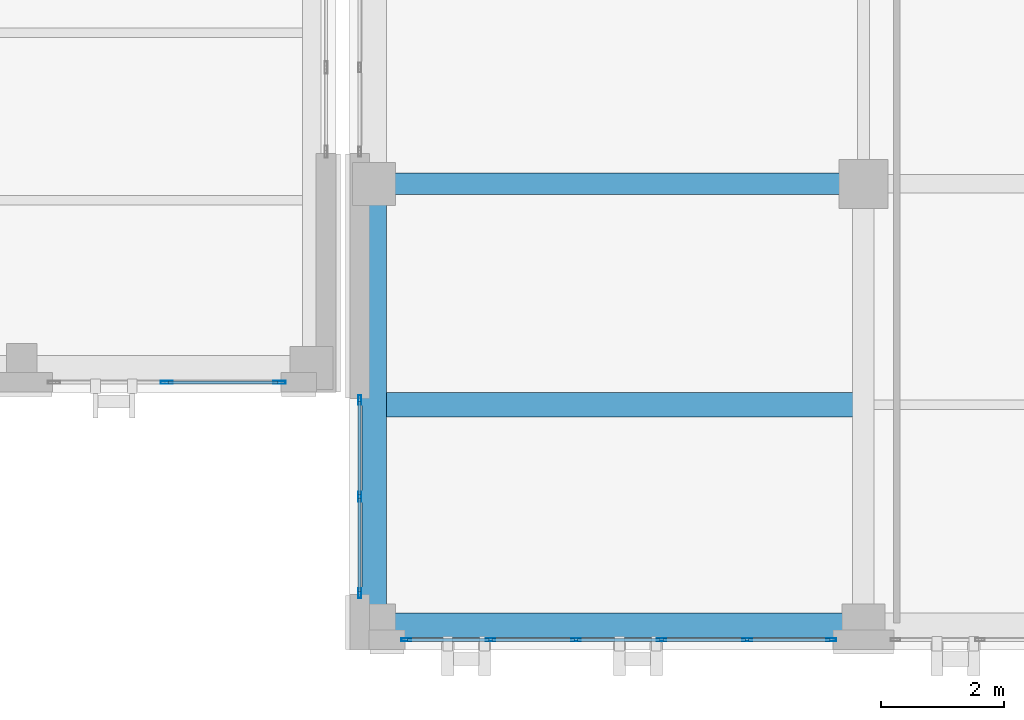
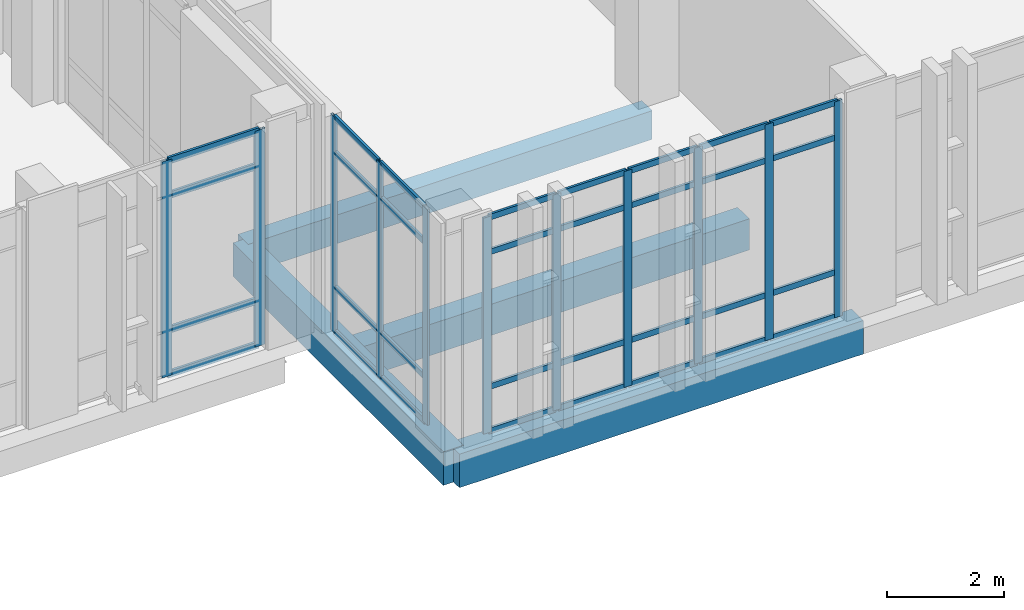
# One storey, part 43 of 189: 43 members, 4 beams, 3 elements without a shape of their own.
"""IFC4 building model written with IfcOpenShell, lengths in metres."""

from ifc_helpers import new_model, si_unit, direction, frame, origin, origin_2d, place, context, subcontext, project, spatial, rectangle, hollow_rectangle, extrude, material, layer, layer_set, material_profile, profile_set, type_object, element, aggregate, save


model = new_model("IFC4")

# Units and contexts
model_context = context("Model", 3, precision=1e-05, world=origin(), true_north=direction((0.0, 1.0)))
body_context = subcontext(model_context, "Body", "Model", "MODEL_VIEW")
ifc_project = project(units=[si_unit("LENGTHUNIT", "METRE"), si_unit("AREAUNIT", "SQUARE_METRE"), si_unit("VOLUMEUNIT", "CUBIC_METRE"), si_unit("PLANEANGLEUNIT", "RADIAN"), si_unit("MASSUNIT", "GRAM", prefix="KILO")], contexts=[model_context])

# Site, building, storey
site_placement = place(None, origin())
site = spatial("IfcSite", under=ifc_project, at=site_placement, CompositionType="ELEMENT")
building_placement = place(site_placement, origin())
building = spatial("IfcBuilding", under=site, at=building_placement, Name="Qalavern Law Courts", CompositionType="ELEMENT")
storey_placement = place(building_placement, frame((0.0, 0.0, 5.39990234375)))
storey = spatial("IfcBuildingStorey", under=building, at=storey_placement, Name="L01", CompositionType="ELEMENT", Elevation=5.39990234375)

# Curtain wall, members
ifc_material_1 = material(Name="Anodised aluminium and insulated glazing", Category="aluminium")
ifc_layer_1 = layer(ifc_material_1, 0.172119140625)
ifc_layer_set_1 = layer_set([ifc_layer_1], Name="Anodised aluminium and insulated glazing")
curtain_wall_type_1 = type_object("IfcCurtainWallType", Name="ENV-CW-COURT", PredefinedType="USERDEFINED", material=ifc_layer_set_1)
curtain_wall_1_placement = place(storey_placement, origin())
curtain_wall_1 = element("IfcCurtainWall", 1, at=curtain_wall_1_placement, inside=storey, type_object=curtain_wall_type_1, Name="V6 unitised curtain wall L01 south 1", ObjectType="UNITISED CURTAIN WALL", PredefinedType="USERDEFINED")
ifc_material_2 = material(Name="Anodised aluminium", Category="aluminium")
ifc_material_profile_1 = material_profile(ifc_material_2, hollow_rectangle(XDim=0.048095703125, YDim=0.159912109375, WallThickness=0.00390625, at=origin_2d()), Name="ALU MULLION 48x160")
ifc_profile_set_1 = profile_set([ifc_material_profile_1], Name="Anodised aluminium")
member_type_1 = type_object("IfcMemberType", Name="ENV-CWM-48x160", PredefinedType="MULLION", material=ifc_profile_set_1)
member_1_placement = place(storey_placement, frame((102.343994140625, 1.16259765625, 0.0), z_axis=(0.0, 0.0, 1.0), x_axis=(0.0, 1.0, 0.0)))
member_1 = element("IfcMember", 2, at=member_1_placement, type_object=member_type_1, Name="CW-03 mullion 1", PredefinedType="MULLION", context=body_context, shape_type="SweptSolid", body=[
    extrude(hollow_rectangle(XDim=0.048095703125, YDim=0.159912109375, WallThickness=0.00390625, at=origin_2d()), origin(), (0.0, 0.0, 1.0), 4.510009765625),
])
member_2_placement = place(storey_placement, frame((103.716064453125, 1.16259765625, 0.0), z_axis=(0.0, 0.0, 1.0), x_axis=(0.0, 1.0, 0.0)))
member_2 = element("IfcMember", 3, at=member_2_placement, type_object=member_type_1, Name="CW-03 mullion 2", PredefinedType="MULLION", context=body_context, shape_type="SweptSolid", body=[
    extrude(hollow_rectangle(XDim=0.048095703125, YDim=0.159912109375, WallThickness=0.00390625, at=origin_2d()), origin(), (0.0, 0.0, 1.0), 4.510009765625),
])
member_3_placement = place(storey_placement, frame((105.112060546875, 1.16259765625, 0.0), z_axis=(0.0, 0.0, 1.0), x_axis=(0.0, 1.0, 0.0)))
member_3 = element("IfcMember", 4, at=member_3_placement, type_object=member_type_1, Name="CW-03 mullion 3", PredefinedType="MULLION", context=body_context, shape_type="SweptSolid", body=[
    extrude(hollow_rectangle(XDim=0.048095703125, YDim=0.159912109375, WallThickness=0.00390625, at=origin_2d()), origin(), (0.0, 0.0, 1.0), 4.510009765625),
])
member_4_placement = place(storey_placement, frame((106.508056640625, 1.16259765625, 0.0), z_axis=(0.0, 0.0, 1.0), x_axis=(0.0, 1.0, 0.0)))
member_4 = element("IfcMember", 5, at=member_4_placement, type_object=member_type_1, Name="CW-03 mullion 4", PredefinedType="MULLION", context=body_context, shape_type="SweptSolid", body=[
    extrude(hollow_rectangle(XDim=0.048095703125, YDim=0.159912109375, WallThickness=0.00390625, at=origin_2d()), origin(), (0.0, 0.0, 1.0), 4.510009765625),
])
member_5_placement = place(storey_placement, frame((107.904052734375, 1.16259765625, 0.0), z_axis=(0.0, 0.0, 1.0), x_axis=(0.0, 1.0, 0.0)))
member_5 = element("IfcMember", 6, at=member_5_placement, type_object=member_type_1, Name="CW-03 mullion 5", PredefinedType="MULLION", context=body_context, shape_type="SweptSolid", body=[
    extrude(hollow_rectangle(XDim=0.048095703125, YDim=0.159912109375, WallThickness=0.00390625, at=origin_2d()), origin(), (0.0, 0.0, 1.0), 4.510009765625),
])
member_6_placement = place(storey_placement, frame((109.27587890625, 1.16259765625, 0.0), z_axis=(0.0, 0.0, 1.0), x_axis=(0.0, 1.0, 0.0)))
member_6 = element("IfcMember", 7, at=member_6_placement, type_object=member_type_1, Name="CW-03 mullion 6", PredefinedType="MULLION", context=body_context, shape_type="SweptSolid", body=[
    extrude(hollow_rectangle(XDim=0.048095703125, YDim=0.159912109375, WallThickness=0.00390625, at=origin_2d()), origin(), (0.0, 0.0, 1.0), 4.510009765625),
])

curtain_wall_2_placement = place(storey_placement, origin())
curtain_wall_2 = element("IfcCurtainWall", 8, at=curtain_wall_2_placement, inside=storey, type_object=curtain_wall_type_1, Name="V6 unitised curtain wall L01 west 2", ObjectType="UNITISED CURTAIN WALL", PredefinedType="USERDEFINED")
member_7_placement = place(storey_placement, frame((101.58251953125, 5.075927734375, 0.0), z_axis=(0.0, 0.0, 1.0), x_axis=(1.0, 0.0, 0.0)))
member_7 = element("IfcMember", 9, at=member_7_placement, type_object=member_type_1, Name="CW-03 mullion 1", PredefinedType="MULLION", context=body_context, shape_type="SweptSolid", body=[
    extrude(hollow_rectangle(XDim=0.048095703125, YDim=0.159912109375, WallThickness=0.00390625, at=origin_2d()), origin(), (0.0, 0.0, 1.0), 4.510009765625),
])
member_8_placement = place(storey_placement, frame((101.58251953125, 3.5, 0.0), z_axis=(0.0, 0.0, 1.0), x_axis=(1.0, 0.0, 0.0)))
member_8 = element("IfcMember", 10, at=member_8_placement, type_object=member_type_1, Name="CW-03 mullion 2", PredefinedType="MULLION", context=body_context, shape_type="SweptSolid", body=[
    extrude(hollow_rectangle(XDim=0.048095703125, YDim=0.159912109375, WallThickness=0.00390625, at=origin_2d()), origin(), (0.0, 0.0, 1.0), 4.510009765625),
])
member_9_placement = place(storey_placement, frame((101.58251953125, 1.924072265625, 0.0), z_axis=(0.0, 0.0, 1.0), x_axis=(1.0, 0.0, 0.0)))
member_9 = element("IfcMember", 11, at=member_9_placement, type_object=member_type_1, Name="CW-03 mullion 3", PredefinedType="MULLION", context=body_context, shape_type="SweptSolid", body=[
    extrude(hollow_rectangle(XDim=0.048095703125, YDim=0.159912109375, WallThickness=0.00390625, at=origin_2d()), origin(), (0.0, 0.0, 1.0), 4.510009765625),
])

ifc_layer_2 = layer(ifc_material_1, 0.18505859375)
ifc_layer_set_2 = layer_set([ifc_layer_2], Name="Anodised aluminium and insulated glazing")
curtain_wall_type_2 = type_object("IfcCurtainWallType", Name="ENV-CW-HALL", PredefinedType="USERDEFINED", material=ifc_layer_set_2)
curtain_wall_3_placement = place(storey_placement, origin())
curtain_wall_3 = element("IfcCurtainWall", 12, at=curtain_wall_3_placement, inside=storey, type_object=curtain_wall_type_2, Name="V2 unitised curtain wall L01 south 11", ObjectType="UNITISED CURTAIN WALL", PredefinedType="USERDEFINED")
ifc_material_profile_2 = material_profile(ifc_material_2, hollow_rectangle(XDim=0.048095703125, YDim=0.199951171875, WallThickness=0.00439453125, at=origin_2d()), Name="ALU MULLION 48x200")
ifc_profile_set_2 = profile_set([ifc_material_profile_2], Name="Anodised aluminium")
member_type_2 = type_object("IfcMemberType", Name="ENV-CWM-48x200", PredefinedType="MULLION", material=ifc_profile_set_2)
member_10_placement = place(storey_placement, frame((98.4365234375, 5.362548828125, 0.0), z_axis=(0.0, 0.0, 1.0), x_axis=(0.0, 1.0, 0.0)))
member_10 = element("IfcMember", 13, at=member_10_placement, type_object=member_type_2, Name="CW-02 mullion 2", PredefinedType="MULLION", context=body_context, shape_type="SweptSolid", body=[
    extrude(hollow_rectangle(XDim=0.048095703125, YDim=0.199951171875, WallThickness=0.00439453125, at=origin_2d()), origin(), (0.0, 0.0, 1.0), 4.510009765625),
])
member_11_placement = place(storey_placement, frame((100.27587890625, 5.362548828125, 0.0), z_axis=(0.0, 0.0, 1.0), x_axis=(0.0, 1.0, 0.0)))
member_11 = element("IfcMember", 14, at=member_11_placement, type_object=member_type_2, Name="CW-02 mullion 3", PredefinedType="MULLION", context=body_context, shape_type="SweptSolid", body=[
    extrude(hollow_rectangle(XDim=0.048095703125, YDim=0.199951171875, WallThickness=0.00439453125, at=origin_2d()), origin(), (0.0, 0.0, 1.0), 4.510009765625),
])

# Member
ifc_material_profile_3 = material_profile(ifc_material_2, hollow_rectangle(XDim=0.048095703125, YDim=0.1201171875, WallThickness=0.00390625, at=origin_2d()), Name="ALU TRANSOM 48x120")
ifc_profile_set_3 = profile_set([ifc_material_profile_3], Name="Anodised aluminium")
member_type_3 = type_object("IfcMemberType", Name="ENV-CWT-48x120", PredefinedType="USERDEFINED", material=ifc_profile_set_3)
member_12_placement = place(storey_placement, frame((102.367919921875, 1.16259765625, 0.024169921875), z_axis=(1.0, 0.0, 0.0), x_axis=(0.0, 1.0, 0.0)))
member_12 = element("IfcMember", 15, at=member_12_placement, type_object=member_type_3, Name="CW-03 transom 1.1", ObjectType="TRANSOM", PredefinedType="USERDEFINED", context=body_context, shape_type="SweptSolid", body=[
    extrude(hollow_rectangle(XDim=0.048095703125, YDim=0.1201171875, WallThickness=0.00390625, at=origin_2d()), origin(), (0.0, 0.0, 1.0), 1.323974609375),
])

member_13_placement = place(storey_placement, frame((102.367919921875, 1.16259765625, 0.9501953125), z_axis=(1.0, 0.0, 0.0), x_axis=(0.0, 1.0, 0.0)))
member_13 = element("IfcMember", 16, at=member_13_placement, type_object=member_type_3, Name="CW-03 transom 1.2", ObjectType="TRANSOM", PredefinedType="USERDEFINED", context=body_context, shape_type="SweptSolid", body=[
    extrude(hollow_rectangle(XDim=0.048095703125, YDim=0.1201171875, WallThickness=0.00390625, at=origin_2d()), origin(), (0.0, 0.0, 1.0), 1.323974609375),
])

member_14_placement = place(storey_placement, frame((102.367919921875, 1.16259765625, 3.760009765625), z_axis=(1.0, 0.0, 0.0), x_axis=(0.0, 1.0, 0.0)))
member_14 = element("IfcMember", 17, at=member_14_placement, type_object=member_type_3, Name="CW-03 transom 1.3", ObjectType="TRANSOM", PredefinedType="USERDEFINED", context=body_context, shape_type="SweptSolid", body=[
    extrude(hollow_rectangle(XDim=0.048095703125, YDim=0.1201171875, WallThickness=0.00390625, at=origin_2d()), origin(), (0.0, 0.0, 1.0), 1.323974609375),
])

member_15_placement = place(storey_placement, frame((102.367919921875, 1.16259765625, 4.486083984375), z_axis=(1.0, 0.0, 0.0), x_axis=(0.0, 1.0, 0.0)))
member_15 = element("IfcMember", 18, at=member_15_placement, type_object=member_type_3, Name="CW-03 transom 1.4", ObjectType="TRANSOM", PredefinedType="USERDEFINED", context=body_context, shape_type="SweptSolid", body=[
    extrude(hollow_rectangle(XDim=0.048095703125, YDim=0.1201171875, WallThickness=0.00390625, at=origin_2d()), origin(), (0.0, 0.0, 1.0), 1.323974609375),
])

member_16_placement = place(storey_placement, frame((103.739990234375, 1.16259765625, 0.024169921875), z_axis=(1.0, 0.0, 0.0), x_axis=(0.0, 1.0, 0.0)))
member_16 = element("IfcMember", 19, at=member_16_placement, type_object=member_type_3, Name="CW-03 transom 2.1", ObjectType="TRANSOM", PredefinedType="USERDEFINED", context=body_context, shape_type="SweptSolid", body=[
    extrude(hollow_rectangle(XDim=0.048095703125, YDim=0.1201171875, WallThickness=0.00390625, at=origin_2d()), origin(), (0.0, 0.0, 1.0), 1.347900390625),
])

member_17_placement = place(storey_placement, frame((103.739990234375, 1.16259765625, 0.9501953125), z_axis=(1.0, 0.0, 0.0), x_axis=(0.0, 1.0, 0.0)))
member_17 = element("IfcMember", 20, at=member_17_placement, type_object=member_type_3, Name="CW-03 transom 2.2", ObjectType="TRANSOM", PredefinedType="USERDEFINED", context=body_context, shape_type="SweptSolid", body=[
    extrude(hollow_rectangle(XDim=0.048095703125, YDim=0.1201171875, WallThickness=0.00390625, at=origin_2d()), origin(), (0.0, 0.0, 1.0), 1.347900390625),
])

member_18_placement = place(storey_placement, frame((103.739990234375, 1.16259765625, 3.760009765625), z_axis=(1.0, 0.0, 0.0), x_axis=(0.0, 1.0, 0.0)))
member_18 = element("IfcMember", 21, at=member_18_placement, type_object=member_type_3, Name="CW-03 transom 2.3", ObjectType="TRANSOM", PredefinedType="USERDEFINED", context=body_context, shape_type="SweptSolid", body=[
    extrude(hollow_rectangle(XDim=0.048095703125, YDim=0.1201171875, WallThickness=0.00390625, at=origin_2d()), origin(), (0.0, 0.0, 1.0), 1.347900390625),
])

member_19_placement = place(storey_placement, frame((103.739990234375, 1.16259765625, 4.486083984375), z_axis=(1.0, 0.0, 0.0), x_axis=(0.0, 1.0, 0.0)))
member_19 = element("IfcMember", 22, at=member_19_placement, type_object=member_type_3, Name="CW-03 transom 2.4", ObjectType="TRANSOM", PredefinedType="USERDEFINED", context=body_context, shape_type="SweptSolid", body=[
    extrude(hollow_rectangle(XDim=0.048095703125, YDim=0.1201171875, WallThickness=0.00390625, at=origin_2d()), origin(), (0.0, 0.0, 1.0), 1.347900390625),
])

member_20_placement = place(storey_placement, frame((105.135986328125, 1.16259765625, 0.024169921875), z_axis=(1.0, 0.0, 0.0), x_axis=(0.0, 1.0, 0.0)))
member_20 = element("IfcMember", 23, at=member_20_placement, type_object=member_type_3, Name="CW-03 transom 3.1", ObjectType="TRANSOM", PredefinedType="USERDEFINED", context=body_context, shape_type="SweptSolid", body=[
    extrude(hollow_rectangle(XDim=0.048095703125, YDim=0.1201171875, WallThickness=0.00390625, at=origin_2d()), origin(), (0.0, 0.0, 1.0), 1.347900390625),
])

member_21_placement = place(storey_placement, frame((105.135986328125, 1.16259765625, 0.9501953125), z_axis=(1.0, 0.0, 0.0), x_axis=(0.0, 1.0, 0.0)))
member_21 = element("IfcMember", 24, at=member_21_placement, type_object=member_type_3, Name="CW-03 transom 3.2", ObjectType="TRANSOM", PredefinedType="USERDEFINED", context=body_context, shape_type="SweptSolid", body=[
    extrude(hollow_rectangle(XDim=0.048095703125, YDim=0.1201171875, WallThickness=0.00390625, at=origin_2d()), origin(), (0.0, 0.0, 1.0), 1.347900390625),
])

member_22_placement = place(storey_placement, frame((105.135986328125, 1.16259765625, 3.760009765625), z_axis=(1.0, 0.0, 0.0), x_axis=(0.0, 1.0, 0.0)))
member_22 = element("IfcMember", 25, at=member_22_placement, type_object=member_type_3, Name="CW-03 transom 3.3", ObjectType="TRANSOM", PredefinedType="USERDEFINED", context=body_context, shape_type="SweptSolid", body=[
    extrude(hollow_rectangle(XDim=0.048095703125, YDim=0.1201171875, WallThickness=0.00390625, at=origin_2d()), origin(), (0.0, 0.0, 1.0), 1.347900390625),
])

member_23_placement = place(storey_placement, frame((105.135986328125, 1.16259765625, 4.486083984375), z_axis=(1.0, 0.0, 0.0), x_axis=(0.0, 1.0, 0.0)))
member_23 = element("IfcMember", 26, at=member_23_placement, type_object=member_type_3, Name="CW-03 transom 3.4", ObjectType="TRANSOM", PredefinedType="USERDEFINED", context=body_context, shape_type="SweptSolid", body=[
    extrude(hollow_rectangle(XDim=0.048095703125, YDim=0.1201171875, WallThickness=0.00390625, at=origin_2d()), origin(), (0.0, 0.0, 1.0), 1.347900390625),
])

member_24_placement = place(storey_placement, frame((106.531982421875, 1.16259765625, 0.024169921875), z_axis=(1.0, 0.0, 0.0), x_axis=(0.0, 1.0, 0.0)))
member_24 = element("IfcMember", 27, at=member_24_placement, type_object=member_type_3, Name="CW-03 transom 4.1", ObjectType="TRANSOM", PredefinedType="USERDEFINED", context=body_context, shape_type="SweptSolid", body=[
    extrude(hollow_rectangle(XDim=0.048095703125, YDim=0.1201171875, WallThickness=0.00390625, at=origin_2d()), origin(), (0.0, 0.0, 1.0), 1.347900390625),
])

member_25_placement = place(storey_placement, frame((106.531982421875, 1.16259765625, 0.9501953125), z_axis=(1.0, 0.0, 0.0), x_axis=(0.0, 1.0, 0.0)))
member_25 = element("IfcMember", 28, at=member_25_placement, type_object=member_type_3, Name="CW-03 transom 4.2", ObjectType="TRANSOM", PredefinedType="USERDEFINED", context=body_context, shape_type="SweptSolid", body=[
    extrude(hollow_rectangle(XDim=0.048095703125, YDim=0.1201171875, WallThickness=0.00390625, at=origin_2d()), origin(), (0.0, 0.0, 1.0), 1.347900390625),
])

member_26_placement = place(storey_placement, frame((106.531982421875, 1.16259765625, 3.760009765625), z_axis=(1.0, 0.0, 0.0), x_axis=(0.0, 1.0, 0.0)))
member_26 = element("IfcMember", 29, at=member_26_placement, type_object=member_type_3, Name="CW-03 transom 4.3", ObjectType="TRANSOM", PredefinedType="USERDEFINED", context=body_context, shape_type="SweptSolid", body=[
    extrude(hollow_rectangle(XDim=0.048095703125, YDim=0.1201171875, WallThickness=0.00390625, at=origin_2d()), origin(), (0.0, 0.0, 1.0), 1.347900390625),
])

member_27_placement = place(storey_placement, frame((106.531982421875, 1.16259765625, 4.486083984375), z_axis=(1.0, 0.0, 0.0), x_axis=(0.0, 1.0, 0.0)))
member_27 = element("IfcMember", 30, at=member_27_placement, type_object=member_type_3, Name="CW-03 transom 4.4", ObjectType="TRANSOM", PredefinedType="USERDEFINED", context=body_context, shape_type="SweptSolid", body=[
    extrude(hollow_rectangle(XDim=0.048095703125, YDim=0.1201171875, WallThickness=0.00390625, at=origin_2d()), origin(), (0.0, 0.0, 1.0), 1.347900390625),
])

member_28_placement = place(storey_placement, frame((107.927978515625, 1.16259765625, 0.024169921875), z_axis=(1.0, 0.0, 0.0), x_axis=(0.0, 1.0, 0.0)))
member_28 = element("IfcMember", 31, at=member_28_placement, type_object=member_type_3, Name="CW-03 transom 5.1", ObjectType="TRANSOM", PredefinedType="USERDEFINED", context=body_context, shape_type="SweptSolid", body=[
    extrude(hollow_rectangle(XDim=0.048095703125, YDim=0.1201171875, WallThickness=0.00390625, at=origin_2d()), origin(), (0.0, 0.0, 1.0), 1.323974609375),
])

member_29_placement = place(storey_placement, frame((107.927978515625, 1.16259765625, 0.9501953125), z_axis=(1.0, 0.0, 0.0), x_axis=(0.0, 1.0, 0.0)))
member_29 = element("IfcMember", 32, at=member_29_placement, type_object=member_type_3, Name="CW-03 transom 5.2", ObjectType="TRANSOM", PredefinedType="USERDEFINED", context=body_context, shape_type="SweptSolid", body=[
    extrude(hollow_rectangle(XDim=0.048095703125, YDim=0.1201171875, WallThickness=0.00390625, at=origin_2d()), origin(), (0.0, 0.0, 1.0), 1.323974609375),
])

member_30_placement = place(storey_placement, frame((107.927978515625, 1.16259765625, 3.760009765625), z_axis=(1.0, 0.0, 0.0), x_axis=(0.0, 1.0, 0.0)))
member_30 = element("IfcMember", 33, at=member_30_placement, type_object=member_type_3, Name="CW-03 transom 5.3", ObjectType="TRANSOM", PredefinedType="USERDEFINED", context=body_context, shape_type="SweptSolid", body=[
    extrude(hollow_rectangle(XDim=0.048095703125, YDim=0.1201171875, WallThickness=0.00390625, at=origin_2d()), origin(), (0.0, 0.0, 1.0), 1.323974609375),
])

member_31_placement = place(storey_placement, frame((107.927978515625, 1.16259765625, 4.486083984375), z_axis=(1.0, 0.0, 0.0), x_axis=(0.0, 1.0, 0.0)))
member_31 = element("IfcMember", 34, at=member_31_placement, type_object=member_type_3, Name="CW-03 transom 5.4", ObjectType="TRANSOM", PredefinedType="USERDEFINED", context=body_context, shape_type="SweptSolid", body=[
    extrude(hollow_rectangle(XDim=0.048095703125, YDim=0.1201171875, WallThickness=0.00390625, at=origin_2d()), origin(), (0.0, 0.0, 1.0), 1.323974609375),
])

aggregate(curtain_wall_1, [member_1, member_2, member_3, member_4, member_5, member_6, member_12, member_13, member_14, member_15, member_16, member_17, member_18, member_19, member_20, member_21, member_22, member_23, member_24, member_25, member_26, member_27, member_28, member_29, member_30, member_31])

member_32_placement = place(storey_placement, frame((101.58251953125, 5.052001953125, 0.024169921875), z_axis=(0.0, -1.0, 0.0), x_axis=(1.0, 0.0, 0.0)))
member_32 = element("IfcMember", 35, at=member_32_placement, type_object=member_type_3, Name="CW-03 transom 1.1", ObjectType="TRANSOM", PredefinedType="USERDEFINED", context=body_context, shape_type="SweptSolid", body=[
    extrude(hollow_rectangle(XDim=0.048095703125, YDim=0.1201171875, WallThickness=0.00390625, at=origin_2d()), origin(), (0.0, 0.0, 1.0), 1.528076171875),
])

member_33_placement = place(storey_placement, frame((101.58251953125, 5.052001953125, 0.9501953125), z_axis=(0.0, -1.0, 0.0), x_axis=(1.0, 0.0, 0.0)))
member_33 = element("IfcMember", 36, at=member_33_placement, type_object=member_type_3, Name="CW-03 transom 1.2", ObjectType="TRANSOM", PredefinedType="USERDEFINED", context=body_context, shape_type="SweptSolid", body=[
    extrude(hollow_rectangle(XDim=0.048095703125, YDim=0.1201171875, WallThickness=0.00390625, at=origin_2d()), origin(), (0.0, 0.0, 1.0), 1.528076171875),
])

member_34_placement = place(storey_placement, frame((101.58251953125, 5.052001953125, 3.760009765625), z_axis=(0.0, -1.0, 0.0), x_axis=(1.0, 0.0, 0.0)))
member_34 = element("IfcMember", 37, at=member_34_placement, type_object=member_type_3, Name="CW-03 transom 1.3", ObjectType="TRANSOM", PredefinedType="USERDEFINED", context=body_context, shape_type="SweptSolid", body=[
    extrude(hollow_rectangle(XDim=0.048095703125, YDim=0.1201171875, WallThickness=0.00390625, at=origin_2d()), origin(), (0.0, 0.0, 1.0), 1.528076171875),
])

member_35_placement = place(storey_placement, frame((101.58251953125, 5.052001953125, 4.486083984375), z_axis=(0.0, -1.0, 0.0), x_axis=(1.0, 0.0, 0.0)))
member_35 = element("IfcMember", 38, at=member_35_placement, type_object=member_type_3, Name="CW-03 transom 1.4", ObjectType="TRANSOM", PredefinedType="USERDEFINED", context=body_context, shape_type="SweptSolid", body=[
    extrude(hollow_rectangle(XDim=0.048095703125, YDim=0.1201171875, WallThickness=0.00390625, at=origin_2d()), origin(), (0.0, 0.0, 1.0), 1.528076171875),
])

member_36_placement = place(storey_placement, frame((101.58251953125, 3.47607421875, 0.024169921875), z_axis=(0.0, -1.0, 0.0), x_axis=(1.0, 0.0, 0.0)))
member_36 = element("IfcMember", 39, at=member_36_placement, type_object=member_type_3, Name="CW-03 transom 2.1", ObjectType="TRANSOM", PredefinedType="USERDEFINED", context=body_context, shape_type="SweptSolid", body=[
    extrude(hollow_rectangle(XDim=0.048095703125, YDim=0.1201171875, WallThickness=0.00390625, at=origin_2d()), origin(), (0.0, 0.0, 1.0), 1.528076171875),
])

member_37_placement = place(storey_placement, frame((101.58251953125, 3.47607421875, 0.9501953125), z_axis=(0.0, -1.0, 0.0), x_axis=(1.0, 0.0, 0.0)))
member_37 = element("IfcMember", 40, at=member_37_placement, type_object=member_type_3, Name="CW-03 transom 2.2", ObjectType="TRANSOM", PredefinedType="USERDEFINED", context=body_context, shape_type="SweptSolid", body=[
    extrude(hollow_rectangle(XDim=0.048095703125, YDim=0.1201171875, WallThickness=0.00390625, at=origin_2d()), origin(), (0.0, 0.0, 1.0), 1.528076171875),
])

member_38_placement = place(storey_placement, frame((101.58251953125, 3.47607421875, 3.760009765625), z_axis=(0.0, -1.0, 0.0), x_axis=(1.0, 0.0, 0.0)))
member_38 = element("IfcMember", 41, at=member_38_placement, type_object=member_type_3, Name="CW-03 transom 2.3", ObjectType="TRANSOM", PredefinedType="USERDEFINED", context=body_context, shape_type="SweptSolid", body=[
    extrude(hollow_rectangle(XDim=0.048095703125, YDim=0.1201171875, WallThickness=0.00390625, at=origin_2d()), origin(), (0.0, 0.0, 1.0), 1.528076171875),
])

member_39_placement = place(storey_placement, frame((101.58251953125, 3.47607421875, 4.486083984375), z_axis=(0.0, -1.0, 0.0), x_axis=(1.0, 0.0, 0.0)))
member_39 = element("IfcMember", 42, at=member_39_placement, type_object=member_type_3, Name="CW-03 transom 2.4", ObjectType="TRANSOM", PredefinedType="USERDEFINED", context=body_context, shape_type="SweptSolid", body=[
    extrude(hollow_rectangle(XDim=0.048095703125, YDim=0.1201171875, WallThickness=0.00390625, at=origin_2d()), origin(), (0.0, 0.0, 1.0), 1.528076171875),
])

aggregate(curtain_wall_2, [member_7, member_8, member_9, member_32, member_33, member_34, member_35, member_36, member_37, member_38, member_39])

ifc_material_profile_4 = material_profile(ifc_material_2, hollow_rectangle(XDim=0.048095703125, YDim=0.139892578125, WallThickness=0.00390625, at=origin_2d()), Name="ALU TRANSOM 48x140")
ifc_profile_set_4 = profile_set([ifc_material_profile_4], Name="Anodised aluminium")
member_type_4 = type_object("IfcMemberType", Name="ENV-CWT-48x140", PredefinedType="USERDEFINED", material=ifc_profile_set_4)
member_40_placement = place(storey_placement, frame((98.46044921875, 5.362548828125, 0.024169921875), z_axis=(1.0, 0.0, 0.0), x_axis=(0.0, 1.0, 0.0)))
member_40 = element("IfcMember", 43, at=member_40_placement, type_object=member_type_4, Name="CW-02 transom 2.1", ObjectType="TRANSOM", PredefinedType="USERDEFINED", context=body_context, shape_type="SweptSolid", body=[
    extrude(hollow_rectangle(XDim=0.048095703125, YDim=0.139892578125, WallThickness=0.00390625, at=origin_2d()), origin(), (0.0, 0.0, 1.0), 1.79150390625),
])

member_41_placement = place(storey_placement, frame((98.46044921875, 5.362548828125, 0.9501953125), z_axis=(1.0, 0.0, 0.0), x_axis=(0.0, 1.0, 0.0)))
member_41 = element("IfcMember", 44, at=member_41_placement, type_object=member_type_4, Name="CW-02 transom 2.2", ObjectType="TRANSOM", PredefinedType="USERDEFINED", context=body_context, shape_type="SweptSolid", body=[
    extrude(hollow_rectangle(XDim=0.048095703125, YDim=0.139892578125, WallThickness=0.00390625, at=origin_2d()), origin(), (0.0, 0.0, 1.0), 1.79150390625),
])

member_42_placement = place(storey_placement, frame((98.46044921875, 5.362548828125, 3.760009765625), z_axis=(1.0, 0.0, 0.0), x_axis=(0.0, 1.0, 0.0)))
member_42 = element("IfcMember", 45, at=member_42_placement, type_object=member_type_4, Name="CW-02 transom 2.3", ObjectType="TRANSOM", PredefinedType="USERDEFINED", context=body_context, shape_type="SweptSolid", body=[
    extrude(hollow_rectangle(XDim=0.048095703125, YDim=0.139892578125, WallThickness=0.00390625, at=origin_2d()), origin(), (0.0, 0.0, 1.0), 1.79150390625),
])

member_43_placement = place(storey_placement, frame((98.46044921875, 5.362548828125, 4.486083984375), z_axis=(1.0, 0.0, 0.0), x_axis=(0.0, 1.0, 0.0)))
member_43 = element("IfcMember", 46, at=member_43_placement, type_object=member_type_4, Name="CW-02 transom 2.4", ObjectType="TRANSOM", PredefinedType="USERDEFINED", context=body_context, shape_type="SweptSolid", body=[
    extrude(hollow_rectangle(XDim=0.048095703125, YDim=0.139892578125, WallThickness=0.00390625, at=origin_2d()), origin(), (0.0, 0.0, 1.0), 1.79150390625),
])

aggregate(curtain_wall_3, [member_10, member_11, member_40, member_41, member_42, member_43])

# Beams
ifc_material_3 = material(Name="Concrete C35/45", Category="concrete")
ifc_material_profile_5 = material_profile(ifc_material_3, rectangle(XDim=0.35009765625, YDim=0.60009765625, at=origin_2d()), Name="RC 350x600")
ifc_profile_set_5 = profile_set([ifc_material_profile_5], Name="Concrete C35/45")
beam_type_1 = type_object("IfcBeamType", Name="STR-BM-RC350x600", PredefinedType="BEAM", material=ifc_profile_set_5)
beam_1_placement = place(storey_placement, frame((101.820068359375, 8.60009765625, -0.599853515625), z_axis=(1.0, 0.0, 0.0), x_axis=(0.0, 1.0, 0.0)))
element("IfcBeam", 47, at=beam_1_placement, inside=storey, type_object=beam_type_1, Name="V6 X-beam 2-1 L01", PredefinedType="BEAM", context=body_context, shape_type="SweptSolid", body=[
    extrude(rectangle(XDim=0.35009765625, YDim=0.60009765625, at=origin_2d()), origin(), (0.0, 0.0, 1.0), 7.97998046875),
])
ifc_material_profile_6 = material_profile(ifc_material_3, rectangle(XDim=0.39990234375, YDim=0.64990234375, at=origin_2d()), Name="RC 400x650")
ifc_profile_set_6 = profile_set([ifc_material_profile_6], Name="Concrete C35/45")
beam_type_2 = type_object("IfcBeamType", Name="STR-JST-RC400x650", PredefinedType="JOIST", material=ifc_profile_set_6)
beam_2_placement = place(storey_placement, frame((102.01806640625, 5.0, -0.625), z_axis=(1.0, 0.0, 0.0), x_axis=(0.0, 1.0, 0.0)))
element("IfcBeam", 48, at=beam_2_placement, inside=storey, type_object=beam_type_2, Name="V6 secondary joist 1.1.1 L01", PredefinedType="JOIST", context=body_context, shape_type="SweptSolid", body=[
    extrude(rectangle(XDim=0.39990234375, YDim=0.64990234375, at=origin_2d()), origin(), (0.0, 0.0, 1.0), 7.60888671875),
])
ifc_material_4 = material(Name="Concrete C40/50", Category="concrete")
ifc_material_profile_7 = material_profile(ifc_material_4, rectangle(XDim=0.39990234375, YDim=0.699951171875, at=origin_2d()), Name="RC 400x700")
ifc_profile_set_7 = profile_set([ifc_material_profile_7], Name="Concrete C40/50")
beam_type_3 = type_object("IfcBeamType", Name="STR-SP-RC400x700", PredefinedType="SPANDREL", material=ifc_profile_set_7)
beam_3_placement = place(storey_placement, frame((101.820068359375, 1.39990234375, -0.64990234375), z_axis=(1.0, 0.0, 0.0), x_axis=(0.0, 1.0, 0.0)))
element("IfcBeam", 49, at=beam_3_placement, inside=storey, type_object=beam_type_3, Name="V6 X-beam 1-1 L01", PredefinedType="SPANDREL", context=body_context, shape_type="SweptSolid", body=[
    extrude(rectangle(XDim=0.39990234375, YDim=0.699951171875, at=origin_2d()), origin(), (0.0, 0.0, 1.0), 7.97998046875),
])
beam_4_placement = place(storey_placement, frame((101.820068359375, 1.39990234375, -0.64990234375), z_axis=(0.0, 1.0, 0.0), x_axis=(-1.0, 0.0, 0.0)))
element("IfcBeam", 50, at=beam_4_placement, inside=storey, type_object=beam_type_3, Name="V6 Y-beam 1-1 L01", PredefinedType="SPANDREL", context=body_context, shape_type="SweptSolid", body=[
    extrude(rectangle(XDim=0.39990234375, YDim=0.699951171875, at=origin_2d()), origin(), (0.0, 0.0, 1.0), 7.2001953125),
])

save(model, "model.ifc")
